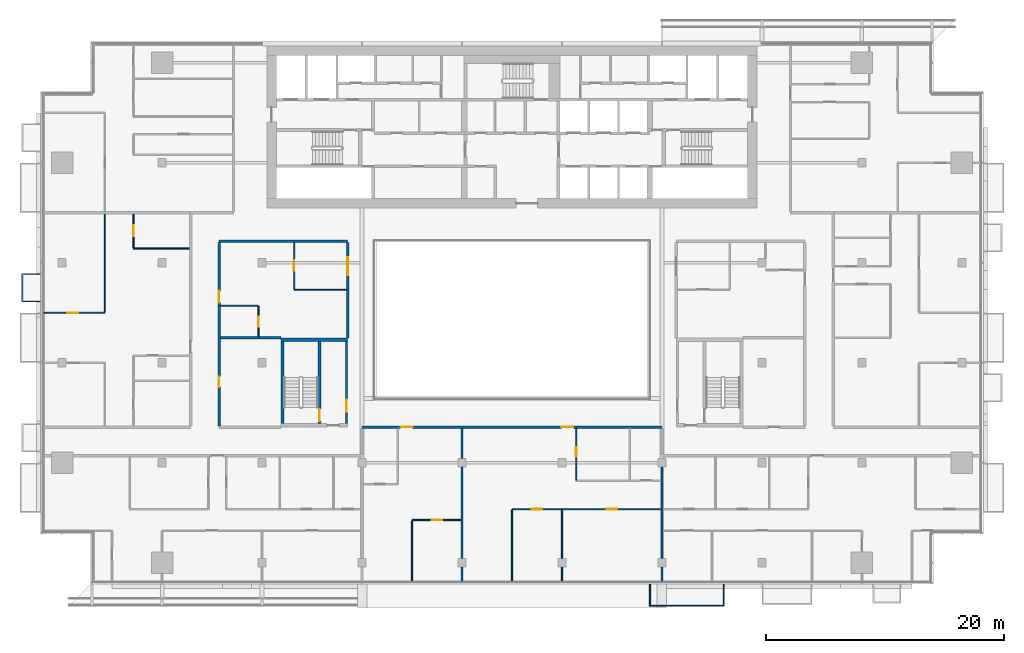
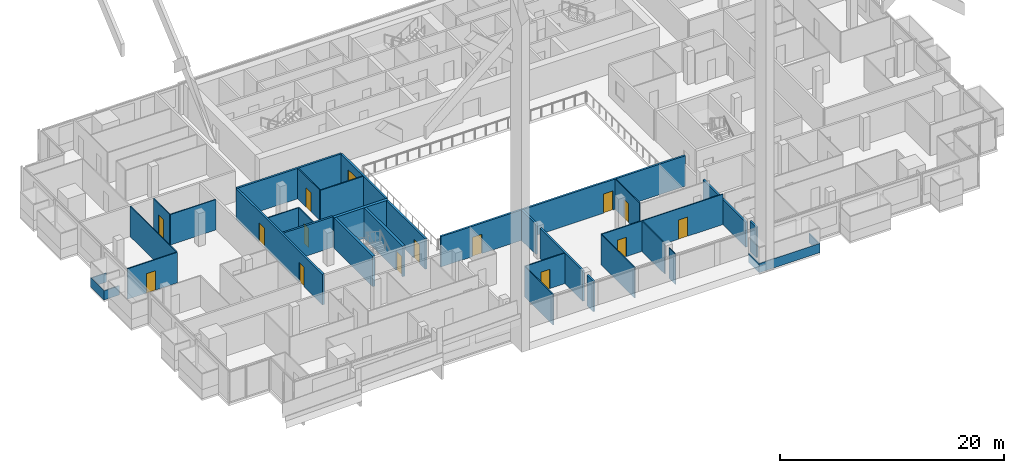
# One storey, part 19 of 31: 31 walls, 14 doors, 1 window, 15 openings.
"""IFC4 building model written with IfcOpenShell, lengths in metres."""

from ifc_helpers import new_model, si_unit, direction, frame, frame_2d, origin, place, context, subcontext, project, spatial, polyline, rectangle, outline, extrude, material, layer, layer_set, type_object, element, fill, save


model = new_model("IFC4")

# Units and contexts
model_context = context("Model", 3, precision=1e-05, world=origin(), true_north=direction((0.0, 1.0)))
body_context = subcontext(model_context, "Body", "Model", "MODEL_VIEW")
ifc_project = project(units=[si_unit("LENGTHUNIT", "METRE"), si_unit("AREAUNIT", "SQUARE_METRE"), si_unit("VOLUMEUNIT", "CUBIC_METRE"), si_unit("PLANEANGLEUNIT", "RADIAN"), si_unit("MASSUNIT", "GRAM", prefix="KILO")], contexts=[model_context])

# Site, building, storey
site_placement = place(None, origin())
site = spatial("IfcSite", under=ifc_project, at=site_placement, CompositionType="ELEMENT")
building_placement = place(site_placement, origin())
building = spatial("IfcBuilding", under=site, at=building_placement, Name="Saffron Gate Tower", CompositionType="ELEMENT")
storey_placement = place(building_placement, frame((0.0, 0.0, 147.449951171875)))
storey = spatial("IfcBuildingStorey", under=building, at=storey_placement, Name="L35", CompositionType="ELEMENT", Elevation=147.449951171875)

# Wall, opening, door
ifc_material_1 = material(Name="Gypsum board partition on steel studs", Category="steel")
ifc_layer_1 = layer(ifc_material_1, 0.199951171875)
ifc_layer_set_1 = layer_set([ifc_layer_1], Name="CW10 Core partition 200")
wall_type_1 = type_object("IfcWallType", Name="CW10 Core partition 200", PredefinedType="PARTITIONING", material=ifc_layer_set_1)
wall_1_placement = place(storey_placement, frame((73.699951171875, 43.5, 0.0), z_axis=(0.0, 0.0, 1.0), x_axis=(0.0, 1.0, 0.0)))
wall_1 = element("IfcWall", 1, at=wall_1_placement, inside=storey, type_object=wall_type_1, Name="Wall CW10-L35-D-4", PredefinedType="PARTITIONING", context=body_context, shape_type="SweptSolid", body=[
    extrude(rectangle(XDim=6.89990234375, YDim=0.199951171875, at=frame_2d((3.449951171875, 0.0))), origin(), (0.0, 0.0, 1.0), 3.320068359375),
])
opening_1_placement = place(wall_1_placement, frame((1.0, 0.0, 0.0)))
opening_1 = element("IfcOpeningElement", 2, at=opening_1_placement, cuts=wall_1, Name="Opening CR-19", PredefinedType="OPENING", context=body_context, shape_type="SweptSolid", body=[
    extrude(rectangle(XDim=1.0, YDim=2.10009765625, at=frame_2d((0.5, 1.050048828125))), frame((0.0, 0.10986328125, 0.0), z_axis=(0.0, -1.0, 0.0), x_axis=(1.0, 0.0, 0.0)), (0.0, 0.0, 1.0), 0.219970703125),
])
ifc_material_2 = material(Name="Steel fire door set", Category="steel")
door_type_1 = type_object("IfcDoorType", Name="CD4 Lobby door 1000x2100 EI 120", OperationType="NOTDEFINED", PredefinedType="DOOR", material=ifc_material_2)
door_1_placement = place(opening_1_placement, origin())
door_1 = element("IfcDoor", 3, at=door_1_placement, inside=storey, type_object=door_type_1, Name="DOOR CR-19", OperationType="SINGLE_SWING_RIGHT", OverallHeight=2.10009765625, OverallWidth=1.0, PredefinedType="DOOR", context=body_context, shape_type="SweptSolid", body=[
    extrude(rectangle(XDim=1.0, YDim=2.10009765625, at=frame_2d((0.5, 1.050048828125))), frame((0.0, 0.02490234375, 0.0), z_axis=(0.0, -1.0, 0.0), x_axis=(1.0, 0.0, 0.0)), (0.0, 0.0, 1.0), 0.050048828125),
])
fill(opening_1, door_1)

# Wall
ifc_material_3 = material(Name="Concrete C60", Category="concrete")
ifc_layer_2 = layer(ifc_material_3, 0.25)
ifc_layer_set_2 = layer_set([ifc_layer_2], Name="CW14 RC core wall 250 C60")
wall_type_2 = type_object("IfcWallType", Name="CW14 RC core wall 250 C60", PredefinedType="SOLIDWALL", material=ifc_layer_set_2)
wall_2_placement = place(storey_placement, frame((68.324951171875, 43.5, 0.0), z_axis=(0.0, 0.0, 1.0), x_axis=(0.0, 1.0, 0.0)))
element("IfcWall", 4, at=wall_2_placement, inside=storey, type_object=wall_type_2, Name="Wall CW14-L35-D-2", PredefinedType="SOLIDWALL", context=body_context, shape_type="SweptSolid", body=[
    extrude(rectangle(XDim=6.89990234375, YDim=0.25, at=frame_2d((3.449951171875, 0.0))), origin(), (0.0, 0.0, 1.0), 3.320068359375),
])

# Wall, opening, door
wall_3_placement = place(storey_placement, frame((71.425048828125, 43.5, 0.0), z_axis=(0.0, 0.0, 1.0), x_axis=(0.0, 1.0, 0.0)))
wall_3 = element("IfcWall", 5, at=wall_3_placement, inside=storey, type_object=wall_type_2, Name="Wall CW14-L35-D-3", PredefinedType="SOLIDWALL", context=body_context, shape_type="SweptSolid", body=[
    extrude(rectangle(XDim=6.89990234375, YDim=0.25, at=frame_2d((3.449951171875, 0.0))), origin(), (0.0, 0.0, 1.0), 3.320068359375),
])
opening_2_placement = place(wall_3_placement, frame((0.199951171875, 0.0, 0.0)))
opening_2 = element("IfcOpeningElement", 6, at=opening_2_placement, cuts=wall_3, Name="Opening CR-20", PredefinedType="OPENING", context=body_context, shape_type="SweptSolid", body=[
    extrude(rectangle(XDim=1.0, YDim=2.10009765625, at=frame_2d((0.5, 1.050048828125))), frame((0.0, 0.135009765625, 0.0), z_axis=(0.0, -1.0, 0.0), x_axis=(1.0, 0.0, 0.0)), (0.0, 0.0, 1.0), 0.27001953125),
])
door_type_2 = type_object("IfcDoorType", Name="CD5 Stair door 1000x2100 EI 120", OperationType="NOTDEFINED", PredefinedType="DOOR", material=ifc_material_2)
door_2_placement = place(opening_2_placement, origin())
door_2 = element("IfcDoor", 7, at=door_2_placement, inside=storey, type_object=door_type_2, Name="DOOR CR-20", OperationType="SINGLE_SWING_LEFT", OverallHeight=2.10009765625, OverallWidth=1.0, PredefinedType="DOOR", context=body_context, shape_type="SweptSolid", body=[
    extrude(rectangle(XDim=1.0, YDim=2.10009765625, at=frame_2d((0.5, 1.050048828125))), frame((0.0, 0.02490234375, 0.0), z_axis=(0.0, -1.0, 0.0), x_axis=(1.0, 0.0, 0.0)), (0.0, 0.0, 1.0), 0.050048828125),
])
fill(opening_2, door_2)

# Wall
ifc_layer_3 = layer(ifc_material_3, 0.300048828125)
ifc_layer_set_3 = layer_set([ifc_layer_3], Name="CW17 RC core wall 300 C60")
wall_type_3 = type_object("IfcWallType", Name="CW17 RC core wall 300 C60", PredefinedType="SOLIDWALL", material=ifc_layer_set_3)
wall_4_placement = place(storey_placement, frame((68.199951171875, 50.550048828125, 0.0), z_axis=(0.0, 0.0, 1.0), x_axis=(1.0, 0.0, 0.0)))
element("IfcWall", 8, at=wall_4_placement, inside=storey, type_object=wall_type_3, Name="Wall CW17-L35-D-5", PredefinedType="SOLIDWALL", context=body_context, shape_type="SweptSolid", body=[
    extrude(rectangle(XDim=5.60009765625, YDim=0.300048828125, at=frame_2d((2.800048828125, 0.0))), origin(), (0.0, 0.0, 1.0), 3.320068359375),
])

# Wall, opening, door
ifc_material_4 = material(Name="Plasterboard on steel studs", Category="steel")
ifc_layer_4 = layer(ifc_material_4, 0.10009765625)
ifc_layer_set_4 = layer_set([ifc_layer_4], Name="PW1 Partition 100")
wall_type_4 = type_object("IfcWallType", Name="PW1 Partition 100", PredefinedType="PARTITIONING", material=ifc_layer_set_4)
wall_5_placement = place(storey_placement, frame((83.300048828125, 35.39990234375, 0.0), z_axis=(0.0, 0.0, 1.0), x_axis=(-1.0, 0.0, 0.0)))
wall_5 = element("IfcWall", 9, at=wall_5_placement, inside=storey, type_object=wall_type_4, Name="Partition C1-5", PredefinedType="PARTITIONING", context=body_context, shape_type="SweptSolid", body=[
    extrude(rectangle(XDim=4.10009765625, YDim=0.10009765625, at=frame_2d((2.050048828125, 0.0))), origin(), (0.0, 0.0, 1.0), 3.320068359375),
])
opening_3_placement = place(wall_5_placement, frame((1.550048828125, 0.0, 0.0)))
opening_3 = element("IfcOpeningElement", 10, at=opening_3_placement, cuts=wall_5, Name="Opening C1-16", PredefinedType="OPENING", context=body_context, shape_type="SweptSolid", body=[
    extrude(rectangle(XDim=0.89990234375, YDim=2.10009765625, at=frame_2d((0.449951171875, 1.050048828125))), frame((0.0, 0.06005859375, 0.0), z_axis=(0.0, -1.0, 0.0), x_axis=(1.0, 0.0, 0.0)), (0.0, 0.0, 1.0), 0.1201171875),
])
ifc_material_5 = material(Name="Timber door set", Category="wood")
door_type_3 = type_object("IfcDoorType", Name="RD1 Room door 900x2100", OperationType="NOTDEFINED", PredefinedType="DOOR", material=ifc_material_5)
door_3_placement = place(opening_3_placement, origin())
door_3 = element("IfcDoor", 11, at=door_3_placement, inside=storey, type_object=door_type_3, Name="Door C1-16", OperationType="SINGLE_SWING_LEFT", OverallHeight=2.10009765625, OverallWidth=0.89990234375, PredefinedType="DOOR", context=body_context, shape_type="SweptSolid", body=[
    extrude(rectangle(XDim=0.89990234375, YDim=2.10009765625, at=frame_2d((0.449951171875, 1.050048828125))), frame((0.0, 0.02490234375, 0.0), z_axis=(0.0, -1.0, 0.0), x_axis=(1.0, 0.0, 0.0)), (0.0, 0.0, 1.0), 0.050048828125),
])
fill(opening_3, door_3)

wall_6_placement = place(storey_placement, frame((48.280029296875, 52.800048828125, 0.0), z_axis=(0.0, 0.0, 1.0), x_axis=(1.0, 0.0, 0.0)))
wall_6 = element("IfcWall", 12, at=wall_6_placement, inside=storey, type_object=wall_type_4, Name="Partition C1-29", PredefinedType="PARTITIONING", context=body_context, shape_type="SweptSolid", body=[
    extrude(rectangle(XDim=5.119873046875, YDim=0.10009765625, at=frame_2d((2.56005859375, 0.0))), origin(), (0.0, 0.0, 1.0), 3.320068359375),
])
opening_4_placement = place(wall_6_placement, frame((1.969970703125, 0.0, 0.0)))
opening_4 = element("IfcOpeningElement", 13, at=opening_4_placement, cuts=wall_6, Name="Opening C1-26", PredefinedType="OPENING", context=body_context, shape_type="SweptSolid", body=[
    extrude(rectangle(XDim=0.89990234375, YDim=2.10009765625, at=frame_2d((0.449951171875, 1.050048828125))), frame((0.0, 0.06005859375, 0.0), z_axis=(0.0, -1.0, 0.0), x_axis=(1.0, 0.0, 0.0)), (0.0, 0.0, 1.0), 0.1201171875),
])
door_4_placement = place(opening_4_placement, origin())
door_4 = element("IfcDoor", 14, at=door_4_placement, inside=storey, type_object=door_type_3, Name="Door C1-26", OperationType="SINGLE_SWING_LEFT", OverallHeight=2.10009765625, OverallWidth=0.89990234375, PredefinedType="DOOR", context=body_context, shape_type="SweptSolid", body=[
    extrude(rectangle(XDim=0.89990234375, YDim=2.10009765625, at=frame_2d((0.449951171875, 1.050048828125))), frame((0.0, 0.02490234375, 0.0), z_axis=(0.0, -1.0, 0.0), x_axis=(1.0, 0.0, 0.0)), (0.0, 0.0, 1.0), 0.050048828125),
])
fill(opening_4, door_4)

# Walls
wall_7_placement = place(storey_placement, frame((63.10009765625, 53.39990234375, 0.0), z_axis=(0.0, 0.0, 1.0), x_axis=(1.0, 0.0, 0.0)))
element("IfcWall", 15, at=wall_7_placement, inside=storey, type_object=wall_type_4, Name="Partition C1-31", PredefinedType="PARTITIONING", context=body_context, shape_type="SweptSolid", body=[
    extrude(rectangle(XDim=3.199951171875, YDim=0.10009765625, at=frame_2d((1.60009765625, 0.0))), origin(), (0.0, 0.0, 1.0), 3.320068359375),
])
wall_8_placement = place(storey_placement, frame((69.300048828125, 54.75, 0.0), z_axis=(0.0, 0.0, 1.0), x_axis=(1.0, 0.0, 0.0)))
element("IfcWall", 16, at=wall_8_placement, inside=storey, type_object=wall_type_4, Name="Partition C1-32", PredefinedType="PARTITIONING", context=body_context, shape_type="SweptSolid", body=[
    extrude(rectangle(XDim=4.39990234375, YDim=0.10009765625, at=frame_2d((2.199951171875, 0.0))), origin(), (0.0, 0.0, 1.0), 3.320068359375),
])
wall_9_placement = place(storey_placement, frame((55.800048828125, 58.199951171875, 0.0), z_axis=(0.0, 0.0, 1.0), x_axis=(1.0, 0.0, 0.0)))
element("IfcWall", 17, at=wall_9_placement, inside=storey, type_object=wall_type_4, Name="Partition C1-38", PredefinedType="PARTITIONING", context=body_context, shape_type="SweptSolid", body=[
    extrude(rectangle(XDim=4.699951171875, YDim=0.10009765625, at=frame_2d((2.35009765625, 0.0))), origin(), (0.0, 0.0, 1.0), 3.320068359375),
])

# Wall, opening, door
wall_10_placement = place(storey_placement, frame((55.800048828125, 61.10009765625, 0.0), z_axis=(0.0, 0.0, 1.0), x_axis=(0.0, -1.0, 0.0)))
wall_10 = element("IfcWall", 18, at=wall_10_placement, inside=storey, type_object=wall_type_4, Name="Partition C1-61", PredefinedType="PARTITIONING", context=body_context, shape_type="SweptSolid", body=[
    extrude(rectangle(XDim=2.85009765625, YDim=0.10009765625, at=frame_2d((1.425048828125, 0.0))), origin(), (0.0, 0.0, 1.0), 3.320068359375),
])
opening_5_placement = place(wall_10_placement, frame((0.949951171875, 0.0, 0.0)))
opening_5 = element("IfcOpeningElement", 19, at=opening_5_placement, cuts=wall_10, Name="Opening C1-27", PredefinedType="OPENING", context=body_context, shape_type="SweptSolid", body=[
    extrude(rectangle(XDim=0.89990234375, YDim=2.10009765625, at=frame_2d((0.449951171875, 1.050048828125))), frame((0.0, 0.06005859375, 0.0), z_axis=(0.0, -1.0, 0.0), x_axis=(1.0, 0.0, 0.0)), (0.0, 0.0, 1.0), 0.1201171875),
])
door_5_placement = place(opening_5_placement, origin())
door_5 = element("IfcDoor", 20, at=door_5_placement, inside=storey, type_object=door_type_3, Name="Door C1-27", OperationType="SINGLE_SWING_LEFT", OverallHeight=2.10009765625, OverallWidth=0.89990234375, PredefinedType="DOOR", context=body_context, shape_type="SweptSolid", body=[
    extrude(rectangle(XDim=0.89990234375, YDim=2.10009765625, at=frame_2d((0.449951171875, 1.050048828125))), frame((0.0, 0.02490234375, 0.0), z_axis=(0.0, -1.0, 0.0), x_axis=(1.0, 0.0, 0.0)), (0.0, 0.0, 1.0), 0.050048828125),
])
fill(opening_5, door_5)

wall_11_placement = place(storey_placement, frame((66.300048828125, 50.800048828125, 0.0), z_axis=(0.0, 0.0, 1.0), x_axis=(0.0, 1.0, 0.0)))
wall_11 = element("IfcWall", 21, at=wall_11_placement, inside=storey, type_object=wall_type_4, Name="Partition C1-71", PredefinedType="PARTITIONING", context=body_context, shape_type="SweptSolid", body=[
    extrude(rectangle(XDim=2.550048828125, YDim=0.10009765625, at=frame_2d((1.27490234375, 0.0))), origin(), (0.0, 0.0, 1.0), 3.320068359375),
])
opening_6_placement = place(wall_11_placement, frame((0.85009765625, 0.0, 0.0)))
opening_6 = element("IfcOpeningElement", 22, at=opening_6_placement, cuts=wall_11, Name="Opening C1-52", PredefinedType="OPENING", context=body_context, shape_type="SweptSolid", body=[
    extrude(rectangle(XDim=0.800048828125, YDim=2.10009765625, at=frame_2d((0.39990234375, 1.050048828125))), frame((0.0, 0.06005859375, 0.0), z_axis=(0.0, -1.0, 0.0), x_axis=(1.0, 0.0, 0.0)), (0.0, 0.0, 1.0), 0.1201171875),
])
door_type_4 = type_object("IfcDoorType", Name="RD2 Bathroom door 800x2100", OperationType="NOTDEFINED", PredefinedType="DOOR", material=ifc_material_5)
door_6_placement = place(opening_6_placement, origin())
door_6 = element("IfcDoor", 23, at=door_6_placement, inside=storey, type_object=door_type_4, Name="Door C1-52", OperationType="SINGLE_SWING_LEFT", OverallHeight=2.10009765625, OverallWidth=0.800048828125, PredefinedType="DOOR", context=body_context, shape_type="SweptSolid", body=[
    extrude(rectangle(XDim=0.800048828125, YDim=2.10009765625, at=frame_2d((0.39990234375, 1.050048828125))), frame((0.0, 0.02490234375, 0.0), z_axis=(0.0, -1.0, 0.0), x_axis=(1.0, 0.0, 0.0)), (0.0, 0.0, 1.0), 0.050048828125),
])
fill(opening_6, door_6)

wall_12_placement = place(storey_placement, frame((69.300048828125, 58.699951171875, 0.0), z_axis=(0.0, 0.0, 1.0), x_axis=(0.0, -1.0, 0.0)))
wall_12 = element("IfcWall", 24, at=wall_12_placement, inside=storey, type_object=wall_type_4, Name="Partition C1-75", PredefinedType="PARTITIONING", context=body_context, shape_type="SweptSolid", body=[
    extrude(rectangle(XDim=3.89990234375, YDim=0.10009765625, at=frame_2d((1.949951171875, 0.0))), origin(), (0.0, 0.0, 1.0), 3.320068359375),
])
opening_7_placement = place(wall_12_placement, frame((1.47509765625, 0.0, 0.0)))
opening_7 = element("IfcOpeningElement", 25, at=opening_7_placement, cuts=wall_12, Name="Opening C1-37", PredefinedType="OPENING", context=body_context, shape_type="SweptSolid", body=[
    extrude(rectangle(XDim=0.89990234375, YDim=2.10009765625, at=frame_2d((0.449951171875, 1.050048828125))), frame((0.0, 0.06005859375, 0.0), z_axis=(0.0, -1.0, 0.0), x_axis=(1.0, 0.0, 0.0)), (0.0, 0.0, 1.0), 0.1201171875),
])
door_7_placement = place(opening_7_placement, origin())
door_7 = element("IfcDoor", 26, at=door_7_placement, inside=storey, type_object=door_type_3, Name="Door C1-37", OperationType="SINGLE_SWING_LEFT", OverallHeight=2.10009765625, OverallWidth=0.89990234375, PredefinedType="DOOR", context=body_context, shape_type="SweptSolid", body=[
    extrude(rectangle(XDim=0.89990234375, YDim=2.10009765625, at=frame_2d((0.449951171875, 1.050048828125))), frame((0.0, 0.02490234375, 0.0), z_axis=(0.0, -1.0, 0.0), x_axis=(1.0, 0.0, 0.0)), (0.0, 0.0, 1.0), 0.050048828125),
])
fill(opening_7, door_7)

# Walls
wall_13_placement = place(storey_placement, frame((79.199951171875, 35.35009765625, 0.0), z_axis=(0.0, 0.0, 1.0), x_axis=(0.0, -1.0, 0.0)))
element("IfcWall", 27, at=wall_13_placement, inside=storey, type_object=wall_type_4, Name="Partition C1-82", PredefinedType="PARTITIONING", context=body_context, shape_type="SweptSolid", body=[
    extrude(rectangle(XDim=5.070068359375, YDim=0.10009765625, at=frame_2d((2.53515625, 0.0))), origin(), (0.0, 0.0, 1.0), 3.320068359375),
])
wall_14_placement = place(storey_placement, frame((87.60009765625, 36.25, 0.0), z_axis=(0.0, 0.0, 1.0), x_axis=(0.0, -1.0, 0.0)))
element("IfcWall", 28, at=wall_14_placement, inside=storey, type_object=wall_type_4, Name="Partition C1-86", PredefinedType="PARTITIONING", context=body_context, shape_type="SweptSolid", body=[
    extrude(rectangle(XDim=5.969970703125, YDim=0.10009765625, at=frame_2d((2.98486328125, 0.0))), origin(), (0.0, 0.0, 1.0), 3.320068359375),
])
wall_15_placement = place(storey_placement, frame((91.800048828125, 31.429931640625, 0.0), z_axis=(0.0, 0.0, 1.0), x_axis=(0.0, -1.0, 0.0)))
element("IfcWall", 29, at=wall_15_placement, inside=storey, type_object=wall_type_4, Name="Partition C1-87", PredefinedType="PARTITIONING", context=body_context, shape_type="SweptSolid", body=[
    extrude(rectangle(XDim=1.14990234375, YDim=0.10009765625, at=frame_2d((0.574951171875, 0.0))), origin(), (0.0, 0.0, 1.0), 3.320068359375),
])
wall_16_placement = place(storey_placement, frame((91.800048828125, 36.25, 0.0), z_axis=(0.0, 0.0, 1.0), x_axis=(0.0, -1.0, 0.0)))
element("IfcWall", 30, at=wall_16_placement, inside=storey, type_object=wall_type_4, Name="Partition C1-88", PredefinedType="PARTITIONING", context=body_context, shape_type="SweptSolid", body=[
    extrude(rectangle(XDim=4.080078125, YDim=0.10009765625, at=frame_2d((2.0400390625, 0.0))), origin(), (0.0, 0.0, 1.0), 3.320068359375),
])

# Wall, opening, door
wall_17_placement = place(storey_placement, frame((93.0, 43.10009765625, 0.0), z_axis=(0.0, 0.0, 1.0), x_axis=(0.0, -1.0, 0.0)))
wall_17 = element("IfcWall", 31, at=wall_17_placement, inside=storey, type_object=wall_type_4, Name="Partition C1-89", PredefinedType="PARTITIONING", context=body_context, shape_type="SweptSolid", body=[
    extrude(rectangle(XDim=4.35009765625, YDim=0.10009765625, at=frame_2d((2.175048828125, 0.0))), origin(), (0.0, 0.0, 1.0), 3.320068359375),
])
opening_8_placement = place(wall_17_placement, frame((1.60009765625, 0.0, 0.0)))
opening_8 = element("IfcOpeningElement", 32, at=opening_8_placement, cuts=wall_17, Name="Opening C1-42", PredefinedType="OPENING", context=body_context, shape_type="SweptSolid", body=[
    extrude(rectangle(XDim=0.800048828125, YDim=2.10009765625, at=frame_2d((0.39990234375, 1.050048828125))), frame((0.0, 0.06005859375, 0.0), z_axis=(0.0, -1.0, 0.0), x_axis=(1.0, 0.0, 0.0)), (0.0, 0.0, 1.0), 0.1201171875),
])
door_8_placement = place(opening_8_placement, origin())
door_8 = element("IfcDoor", 33, at=door_8_placement, inside=storey, type_object=door_type_4, Name="Door C1-42", OperationType="SINGLE_SWING_LEFT", OverallHeight=2.10009765625, OverallWidth=0.800048828125, PredefinedType="DOOR", context=body_context, shape_type="SweptSolid", body=[
    extrude(rectangle(XDim=0.800048828125, YDim=2.10009765625, at=frame_2d((0.39990234375, 1.050048828125))), frame((0.0, 0.02490234375, 0.0), z_axis=(0.0, -1.0, 0.0), x_axis=(1.0, 0.0, 0.0)), (0.0, 0.0, 1.0), 0.050048828125),
])
fill(opening_8, door_8)

# Wall, openings, doors
wall_18_placement = place(storey_placement, frame((100.10009765625, 36.300048828125, 0.0), z_axis=(0.0, 0.0, 1.0), x_axis=(-1.0, 0.0, 0.0)))
wall_18 = element("IfcWall", 34, at=wall_18_placement, inside=storey, type_object=wall_type_4, Name="Partition C1-118", PredefinedType="PARTITIONING", context=body_context, shape_type="SweptSolid", body=[
    extrude(rectangle(XDim=12.5, YDim=0.10009765625, at=frame_2d((6.25, 0.0))), origin(), (0.0, 0.0, 1.0), 3.320068359375),
])
opening_9_placement = place(wall_18_placement, frame((3.64990234375, 0.0, 0.0)))
opening_9 = element("IfcOpeningElement", 35, at=opening_9_placement, cuts=wall_18, Name="Opening C1-18", PredefinedType="OPENING", context=body_context, shape_type="SweptSolid", body=[
    extrude(rectangle(XDim=0.89990234375, YDim=2.10009765625, at=frame_2d((0.449951171875, 1.050048828125))), frame((0.0, 0.06005859375, 0.0), z_axis=(0.0, -1.0, 0.0), x_axis=(1.0, 0.0, 0.0)), (0.0, 0.0, 1.0), 0.1201171875),
])
opening_10_placement = place(wall_18_placement, frame((9.949951171875, 0.0, 0.0)))
opening_10 = element("IfcOpeningElement", 36, at=opening_10_placement, cuts=wall_18, Name="Opening C1-17", PredefinedType="OPENING", context=body_context, shape_type="SweptSolid", body=[
    extrude(rectangle(XDim=0.89990234375, YDim=2.10009765625, at=frame_2d((0.449951171875, 1.050048828125))), frame((0.0, 0.06005859375, 0.0), z_axis=(0.0, -1.0, 0.0), x_axis=(1.0, 0.0, 0.0)), (0.0, 0.0, 1.0), 0.1201171875),
])
door_9_placement = place(opening_9_placement, origin())
door_9 = element("IfcDoor", 37, at=door_9_placement, inside=storey, type_object=door_type_3, Name="Door C1-18", OperationType="SINGLE_SWING_LEFT", OverallHeight=2.10009765625, OverallWidth=0.89990234375, PredefinedType="DOOR", context=body_context, shape_type="SweptSolid", body=[
    extrude(rectangle(XDim=0.89990234375, YDim=2.10009765625, at=frame_2d((0.449951171875, 1.050048828125))), frame((0.0, 0.02490234375, 0.0), z_axis=(0.0, -1.0, 0.0), x_axis=(1.0, 0.0, 0.0)), (0.0, 0.0, 1.0), 0.050048828125),
])
fill(opening_9, door_9)
door_10_placement = place(opening_10_placement, origin())
door_10 = element("IfcDoor", 38, at=door_10_placement, inside=storey, type_object=door_type_3, Name="Door C1-17", OperationType="SINGLE_SWING_LEFT", OverallHeight=2.10009765625, OverallWidth=0.89990234375, PredefinedType="DOOR", context=body_context, shape_type="SweptSolid", body=[
    extrude(rectangle(XDim=0.89990234375, YDim=2.10009765625, at=frame_2d((0.449951171875, 1.050048828125))), frame((0.0, 0.02490234375, 0.0), z_axis=(0.0, -1.0, 0.0), x_axis=(1.0, 0.0, 0.0)), (0.0, 0.0, 1.0), 0.050048828125),
])
fill(opening_10, door_10)

# Walls
wall_19_placement = place(storey_placement, frame((53.39990234375, 61.10009765625, 0.0), z_axis=(0.0, 0.0, 1.0), x_axis=(0.0, -1.0, 0.0)))
element("IfcWall", 39, at=wall_19_placement, inside=storey, type_object=wall_type_4, Name="Partition C1-120", PredefinedType="PARTITIONING", context=body_context, shape_type="SweptSolid", body=[
    extrude(rectangle(XDim=8.25, YDim=0.10009765625, at=frame_2d((4.125, 0.0))), origin(), (0.0, 0.0, 1.0), 3.320068359375),
])
ifc_material_6 = material(Name="Clay brick masonry, rendered", Category="masonry")
ifc_layer_5 = layer(ifc_material_6, 0.199951171875)
ifc_layer_set_5 = layer_set([ifc_layer_5], Name="PW2 Demising wall 200")
wall_type_5 = type_object("IfcWallType", Name="PW2 Demising wall 200", PredefinedType="PARTITIONING", material=ifc_layer_set_5)
wall_20_placement = place(storey_placement, frame((63.10009765625, 50.699951171875, 0.0), z_axis=(0.0, 0.0, 1.0), x_axis=(1.0, 0.0, 0.0)))
element("IfcWall", 40, at=wall_20_placement, inside=storey, type_object=wall_type_5, Name="Wall C1-26", PredefinedType="PARTITIONING", context=body_context, shape_type="SweptSolid", body=[
    extrude(rectangle(XDim=5.099853515625, YDim=0.199951171875, at=frame_2d((2.5498046875, 0.0))), origin(), (0.0, 0.0, 1.0), 3.320068359375),
])
wall_21_placement = place(storey_placement, frame((83.39990234375, 31.429931640625, 0.0), z_axis=(0.0, 0.0, 1.0), x_axis=(0.0, -1.0, 0.0)))
element("IfcWall", 41, at=wall_21_placement, inside=storey, type_object=wall_type_5, Name="Wall C1-83", PredefinedType="PARTITIONING", context=body_context, shape_type="SweptSolid", body=[
    extrude(rectangle(XDim=1.14990234375, YDim=0.199951171875, at=frame_2d((0.574951171875, 0.0))), origin(), (0.0, 0.0, 1.0), 3.320068359375),
])
wall_22_placement = place(storey_placement, frame((83.39990234375, 39.830078125, 0.0), z_axis=(0.0, 0.0, 1.0), x_axis=(0.0, -1.0, 0.0)))
element("IfcWall", 42, at=wall_22_placement, inside=storey, type_object=wall_type_5, Name="Wall C1-84", PredefinedType="PARTITIONING", context=body_context, shape_type="SweptSolid", body=[
    extrude(rectangle(XDim=7.66015625, YDim=0.199951171875, at=frame_2d((3.830078125, 0.0))), origin(), (0.0, 0.0, 1.0), 3.320068359375),
])
wall_23_placement = place(storey_placement, frame((83.39990234375, 43.10009765625, 0.0), z_axis=(0.0, 0.0, 1.0), x_axis=(0.0, -1.0, 0.0)))
element("IfcWall", 43, at=wall_23_placement, inside=storey, type_object=wall_type_5, Name="Wall C1-85", PredefinedType="PARTITIONING", context=body_context, shape_type="SweptSolid", body=[
    extrude(rectangle(XDim=2.530029296875, YDim=0.199951171875, at=frame_2d((1.26513671875, 0.0))), origin(), (0.0, 0.0, 1.0), 3.320068359375),
])
wall_24_placement = place(storey_placement, frame((100.199951171875, 31.429931640625, 0.0), z_axis=(0.0, 0.0, 1.0), x_axis=(0.0, -1.0, 0.0)))
element("IfcWall", 44, at=wall_24_placement, inside=storey, type_object=wall_type_5, Name="Wall C1-92", PredefinedType="PARTITIONING", context=body_context, shape_type="SweptSolid", body=[
    extrude(rectangle(XDim=1.14990234375, YDim=0.199951171875, at=frame_2d((0.574951171875, 0.0))), origin(), (0.0, 0.0, 1.0), 3.320068359375),
])
wall_25_placement = place(storey_placement, frame((100.199951171875, 39.830078125, 0.0), z_axis=(0.0, 0.0, 1.0), x_axis=(0.0, -1.0, 0.0)))
element("IfcWall", 45, at=wall_25_placement, inside=storey, type_object=wall_type_5, Name="Wall C1-93", PredefinedType="PARTITIONING", context=body_context, shape_type="SweptSolid", body=[
    extrude(rectangle(XDim=7.66015625, YDim=0.199951171875, at=frame_2d((3.830078125, 0.0))), origin(), (0.0, 0.0, 1.0), 2.719970703125),
])

# Wall, openings, doors
ifc_layer_6 = layer(ifc_material_6, 0.199951171875)
ifc_layer_set_6 = layer_set([ifc_layer_6], Name="PW3 Corridor wall 200")
wall_type_6 = type_object("IfcWallType", Name="PW3 Corridor wall 200", PredefinedType="PARTITIONING", material=ifc_layer_set_6)
wall_26_placement = place(storey_placement, frame((100.199951171875, 43.199951171875, 0.0), z_axis=(0.0, 0.0, 1.0), x_axis=(-1.0, 0.0, 0.0)))
wall_26 = element("IfcWall", 46, at=wall_26_placement, inside=storey, type_object=wall_type_6, Name="Wall C1-17", PredefinedType="PARTITIONING", context=body_context, shape_type="SweptSolid", body=[
    extrude(rectangle(XDim=25.199951171875, YDim=0.199951171875, at=frame_2d((12.60009765625, 0.0))), origin(), (0.0, 0.0, 1.0), 3.320068359375),
])
opening_11_placement = place(wall_26_placement, frame((7.449951171875, 0.0, 0.0)))
opening_11 = element("IfcOpeningElement", 47, at=opening_11_placement, cuts=wall_26, Name="Opening C1-3", PredefinedType="OPENING", context=body_context, shape_type="SweptSolid", body=[
    extrude(rectangle(XDim=1.0, YDim=2.10009765625, at=frame_2d((0.5, 1.050048828125))), frame((0.0, 0.10986328125, 0.0), z_axis=(0.0, -1.0, 0.0), x_axis=(1.0, 0.0, 0.0)), (0.0, 0.0, 1.0), 0.219970703125),
])
opening_12_placement = place(wall_26_placement, frame((20.949951171875, 0.0, 0.0)))
opening_12 = element("IfcOpeningElement", 48, at=opening_12_placement, cuts=wall_26, Name="Opening C1-2", PredefinedType="OPENING", context=body_context, shape_type="SweptSolid", body=[
    extrude(rectangle(XDim=1.0, YDim=2.10009765625, at=frame_2d((0.5, 1.050048828125))), frame((0.0, 0.10986328125, 0.0), z_axis=(0.0, -1.0, 0.0), x_axis=(1.0, 0.0, 0.0)), (0.0, 0.0, 1.0), 0.219970703125),
])
ifc_material_7 = material(Name="Timber fire door set", Category="wood")
door_type_5 = type_object("IfcDoorType", Name="FD1 Flat entry door 1000x2100", OperationType="NOTDEFINED", PredefinedType="DOOR", material=ifc_material_7)
door_11_placement = place(opening_11_placement, origin())
door_11 = element("IfcDoor", 49, at=door_11_placement, inside=storey, type_object=door_type_5, Name="Door C1-3", OperationType="SINGLE_SWING_RIGHT", OverallHeight=2.10009765625, OverallWidth=1.0, PredefinedType="DOOR", context=body_context, shape_type="SweptSolid", body=[
    extrude(rectangle(XDim=1.0, YDim=2.10009765625, at=frame_2d((0.5, 1.050048828125))), frame((0.0, 0.02490234375, 0.0), z_axis=(0.0, -1.0, 0.0), x_axis=(1.0, 0.0, 0.0)), (0.0, 0.0, 1.0), 0.050048828125),
])
fill(opening_11, door_11)
door_12_placement = place(opening_12_placement, origin())
door_12 = element("IfcDoor", 50, at=door_12_placement, inside=storey, type_object=door_type_5, Name="Door C1-2", OperationType="SINGLE_SWING_LEFT", OverallHeight=2.10009765625, OverallWidth=1.0, PredefinedType="DOOR", context=body_context, shape_type="SweptSolid", body=[
    extrude(rectangle(XDim=1.0, YDim=2.10009765625, at=frame_2d((0.5, 1.050048828125))), frame((0.0, 0.02490234375, 0.0), z_axis=(0.0, -1.0, 0.0), x_axis=(1.0, 0.0, 0.0)), (0.0, 0.0, 1.0), 0.050048828125),
])
fill(opening_12, door_12)

# Wall
wall_27_placement = place(storey_placement, frame((63.0, 58.800048828125, 0.0), z_axis=(0.0, 0.0, 1.0), x_axis=(1.0, 0.0, 0.0)))
element("IfcWall", 51, at=wall_27_placement, inside=storey, type_object=wall_type_6, Name="Wall C1-39", PredefinedType="PARTITIONING", context=body_context, shape_type="SweptSolid", body=[
    extrude(rectangle(XDim=10.800048828125, YDim=0.199951171875, at=frame_2d((5.39990234375, 0.0))), origin(), (0.0, 0.0, 1.0), 3.320068359375),
])

# Wall, openings, doors
wall_28_placement = place(storey_placement, frame((63.0, 58.699951171875, 0.0), z_axis=(0.0, 0.0, 1.0), x_axis=(0.0, -1.0, 0.0)))
wall_28 = element("IfcWall", 52, at=wall_28_placement, inside=storey, type_object=wall_type_6, Name="Wall C1-68", PredefinedType="PARTITIONING", context=body_context, shape_type="SweptSolid", body=[
    extrude(rectangle(XDim=15.39990234375, YDim=0.199951171875, at=frame_2d((7.699951171875, 0.0))), origin(), (0.0, 0.0, 1.0), 3.320068359375),
])
opening_13_placement = place(wall_28_placement, frame((4.050048828125, 0.0, 0.0)))
opening_13 = element("IfcOpeningElement", 53, at=opening_13_placement, cuts=wall_28, Name="Opening C1-9", PredefinedType="OPENING", context=body_context, shape_type="SweptSolid", body=[
    extrude(rectangle(XDim=1.0, YDim=2.10009765625, at=frame_2d((0.5, 1.050048828125))), frame((0.0, 0.10986328125, 0.0), z_axis=(0.0, -1.0, 0.0), x_axis=(1.0, 0.0, 0.0)), (0.0, 0.0, 1.0), 0.219970703125),
])
opening_14_placement = place(wall_28_placement, frame((11.25, 0.0, 0.0)))
opening_14 = element("IfcOpeningElement", 54, at=opening_14_placement, cuts=wall_28, Name="Opening C1-55", PredefinedType="OPENING", context=body_context, shape_type="SweptSolid", body=[
    extrude(rectangle(XDim=0.89990234375, YDim=2.10009765625, at=frame_2d((0.449951171875, 1.050048828125))), frame((0.0, 0.10986328125, 0.0), z_axis=(0.0, -1.0, 0.0), x_axis=(1.0, 0.0, 0.0)), (0.0, 0.0, 1.0), 0.219970703125),
])
door_13_placement = place(opening_13_placement, origin())
door_13 = element("IfcDoor", 55, at=door_13_placement, inside=storey, type_object=door_type_5, Name="Door C1-9", OperationType="SINGLE_SWING_LEFT", OverallHeight=2.10009765625, OverallWidth=1.0, PredefinedType="DOOR", context=body_context, shape_type="SweptSolid", body=[
    extrude(rectangle(XDim=1.0, YDim=2.10009765625, at=frame_2d((0.5, 1.050048828125))), frame((0.0, 0.02490234375, 0.0), z_axis=(0.0, -1.0, 0.0), x_axis=(1.0, 0.0, 0.0)), (0.0, 0.0, 1.0), 0.050048828125),
])
fill(opening_13, door_13)
door_type_6 = type_object("IfcDoorType", Name="SD1 Service door 900x2100", OperationType="NOTDEFINED", PredefinedType="DOOR", material=ifc_material_2)
door_14_placement = place(opening_14_placement, origin())
door_14 = element("IfcDoor", 56, at=door_14_placement, inside=storey, type_object=door_type_6, Name="Door C1-55", OperationType="SINGLE_SWING_RIGHT", OverallHeight=2.10009765625, OverallWidth=0.89990234375, PredefinedType="DOOR", context=body_context, shape_type="SweptSolid", body=[
    extrude(rectangle(XDim=0.89990234375, YDim=2.10009765625, at=frame_2d((0.449951171875, 1.050048828125))), frame((0.0, 0.02490234375, 0.0), z_axis=(0.0, -1.0, 0.0), x_axis=(1.0, 0.0, 0.0)), (0.0, 0.0, 1.0), 0.050048828125),
])
fill(opening_14, door_14)

# Wall, opening, window
wall_29_placement = place(storey_placement, frame((73.800048828125, 58.699951171875, 0.0), z_axis=(0.0, 0.0, 1.0), x_axis=(0.0, -1.0, 0.0)))
wall_29 = element("IfcWall", 57, at=wall_29_placement, inside=storey, type_object=wall_type_6, Name="Wall C1-77", PredefinedType="PARTITIONING", context=body_context, shape_type="SweptSolid", body=[
    extrude(rectangle(XDim=8.0, YDim=0.199951171875, at=frame_2d((4.0, 0.0))), origin(), (0.0, 0.0, 1.0), 3.320068359375),
])
opening_15_placement = place(wall_29_placement, frame((1.22509765625, 0.0, 0.89990234375)))
opening_15 = element("IfcOpeningElement", 58, at=opening_15_placement, cuts=wall_29, Name="Opening GW1", PredefinedType="OPENING", context=body_context, shape_type="SweptSolid", body=[
    extrude(rectangle(XDim=1.5, YDim=1.5, at=frame_2d((0.75, 0.75))), frame((0.0, 0.10986328125, 0.0), z_axis=(0.0, -1.0, 0.0), x_axis=(1.0, 0.0, 0.0)), (0.0, 0.0, 1.0), 0.219970703125),
])
ifc_material_8 = material(Name="Fire-resisting laminated glass in steel frame", Category="steel")
ifc_layer_7 = layer(ifc_material_8, 0.06005859375)
ifc_layer_set_7 = layer_set([ifc_layer_7], Name="GW1 Gallery window 1500x1500")
window_type = type_object("IfcWindowType", Name="GW1 Gallery window 1500x1500", PartitioningType="SINGLE_PANEL", PredefinedType="WINDOW", material=ifc_layer_set_7)
window_placement = place(opening_15_placement, origin())
window = element("IfcWindow", 59, at=window_placement, inside=storey, type_object=window_type, Name="GW1 window C1-J-B1", OverallHeight=1.5, OverallWidth=1.5, PartitioningType="SINGLE_PANEL", PredefinedType="WINDOW", context=body_context, shape_type="SweptSolid", body=[
    extrude(rectangle(XDim=1.5, YDim=1.5, at=frame_2d((0.75, 0.75))), frame((0.0, 0.030029296875, 0.0), z_axis=(0.0, -1.0, 0.0), x_axis=(1.0, 0.0, 0.0)), (0.0, 0.0, 1.0), 0.06005859375),
])
fill(opening_15, window)

# Walls
ifc_material_9 = material(Name="Rendered insulated panel, white")
ifc_layer_8 = layer(ifc_material_9, 0.10009765625)
ifc_layer_set_8 = layer_set([ifc_layer_8], Name="WB3 box parapet white")
wall_type_7 = type_object("IfcWallType", Name="WB3 box parapet white", PredefinedType="SOLIDWALL", material=ifc_layer_set_8)
wall_30_placement = place(storey_placement, origin())
element("IfcWall", 60, at=wall_30_placement, inside=storey, type_object=wall_type_7, Name="WINDOW BOX parapet", PredefinedType="SOLIDWALL", context=body_context, shape_type="SweptSolid", body=[
    extrude(outline(polyline([(99.14990234375, 30.0), (99.25, 30.0), (99.25, 28.23291015625), (105.35009765625, 28.23291015625), (105.35009765625, 30.0), (105.449951171875, 30.0), (105.449951171875, 28.133056640625), (99.14990234375, 28.133056640625), (99.14990234375, 30.0)])), origin(), (0.0, 0.0, 1.0), 1.0),
])
wall_31_placement = place(storey_placement, origin())
element("IfcWall", 61, at=wall_31_placement, inside=storey, type_object=wall_type_7, Name="WINDOW BOX parapet", PredefinedType="SOLIDWALL", context=body_context, shape_type="SweptSolid", body=[
    extrude(outline(polyline([(48.0, 56.10009765625), (48.0, 56.0), (46.5, 56.0), (46.5, 53.800048828125), (48.0, 53.800048828125), (48.0, 53.699951171875), (46.39990234375, 53.699951171875), (46.39990234375, 56.10009765625), (48.0, 56.10009765625)])), origin(), (0.0, 0.0, 1.0), 1.0),
])

save(model, "model.ifc")
